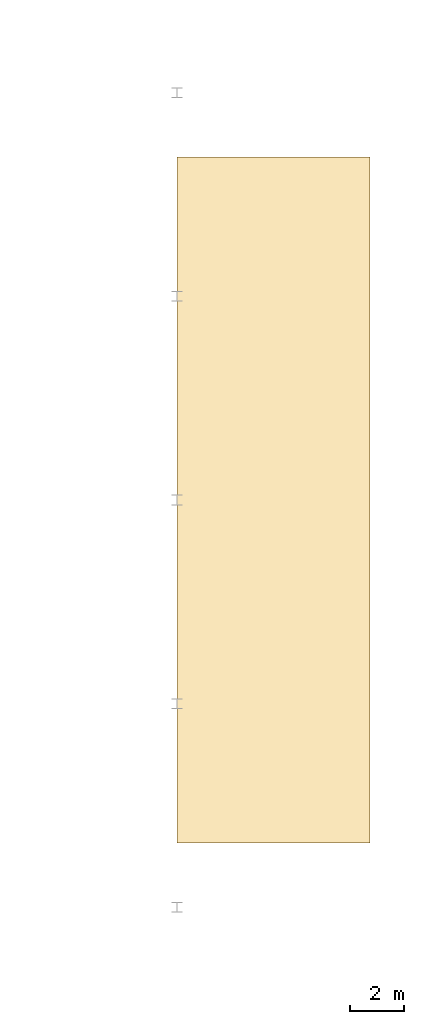
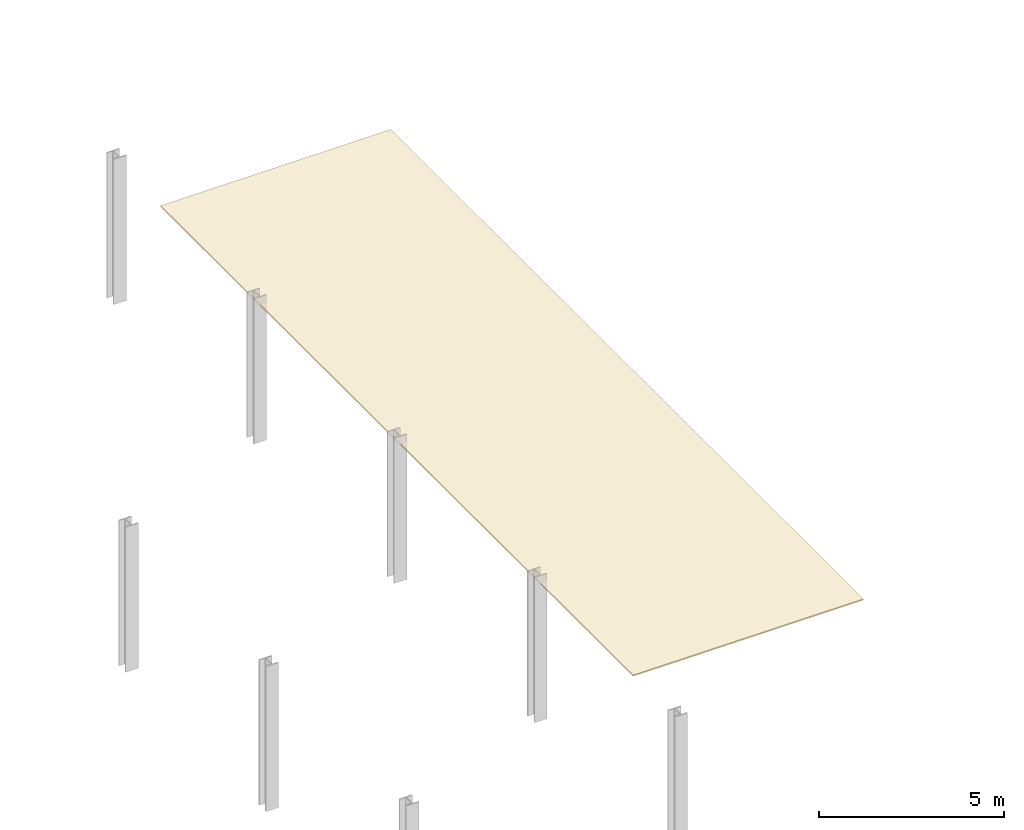
# One storey, part 51 of 51: 1 covering.
"""IFC4 building model written with IfcOpenShell, lengths in metres."""

from ifc_helpers import new_model, si_unit, direction, frame, origin, place, context, subcontext, project, spatial, polyline, outline, extrude, material, layer, layer_set, type_object, element, save


model = new_model("IFC4")

# Units and contexts
model_context = context("Model", 3, precision=1e-05, world=origin(), true_north=direction((0.0, 1.0)))
body_context = subcontext(model_context, "Body", "Model", "MODEL_VIEW")
ifc_project = project(units=[si_unit("LENGTHUNIT", "METRE"), si_unit("AREAUNIT", "SQUARE_METRE"), si_unit("VOLUMEUNIT", "CUBIC_METRE"), si_unit("PLANEANGLEUNIT", "RADIAN"), si_unit("MASSUNIT", "GRAM", prefix="KILO")], contexts=[model_context])

# Site, building, storey
site_placement = place(None, origin())
site = spatial("IfcSite", under=ifc_project, at=site_placement, CompositionType="ELEMENT")
building_placement = place(site_placement, origin())
building = spatial("IfcBuilding", under=site, at=building_placement, Name="Zuvorla Pavilion Media Centre", CompositionType="ELEMENT")
storey_placement = place(building_placement, frame((0.0, 0.0, 4.800048828125)))
storey = spatial("IfcBuildingStorey", under=building, at=storey_placement, Name="L01", CompositionType="ELEMENT", Elevation=4.800048828125)

# Covering
ifc_material = material(Name="Odum Iroko hardwood timber acoustic slats", Category="wood")
ifc_layer = layer(ifc_material, 0.0400390625)
ifc_layer_set = layer_set([ifc_layer], Name="Odum Iroko hardwood timber acoustic slats")
covering_type = type_object("IfcCoveringType", Name="COV-SOFFIT-ODUM", PredefinedType="CEILING", material=ifc_layer_set)
covering_placement = place(storey_placement, frame((0.0, 0.0, 4.5)))
element("IfcCovering", 1, at=covering_placement, inside=storey, type_object=covering_type, Name="L01 Odum timber soffit SOF-EAST", PredefinedType="CEILING", context=body_context, shape_type="SweptSolid", body=[
    extrude(outline(polyline([(167.60009765625, 54.0), (174.800048828125, 54.0), (174.800048828125, 79.60009765625), (167.60009765625, 79.60009765625), (167.60009765625, 54.0)])), origin(), (0.0, 0.0, 1.0), 0.0400390625),
])

save(model, "model.ifc")
